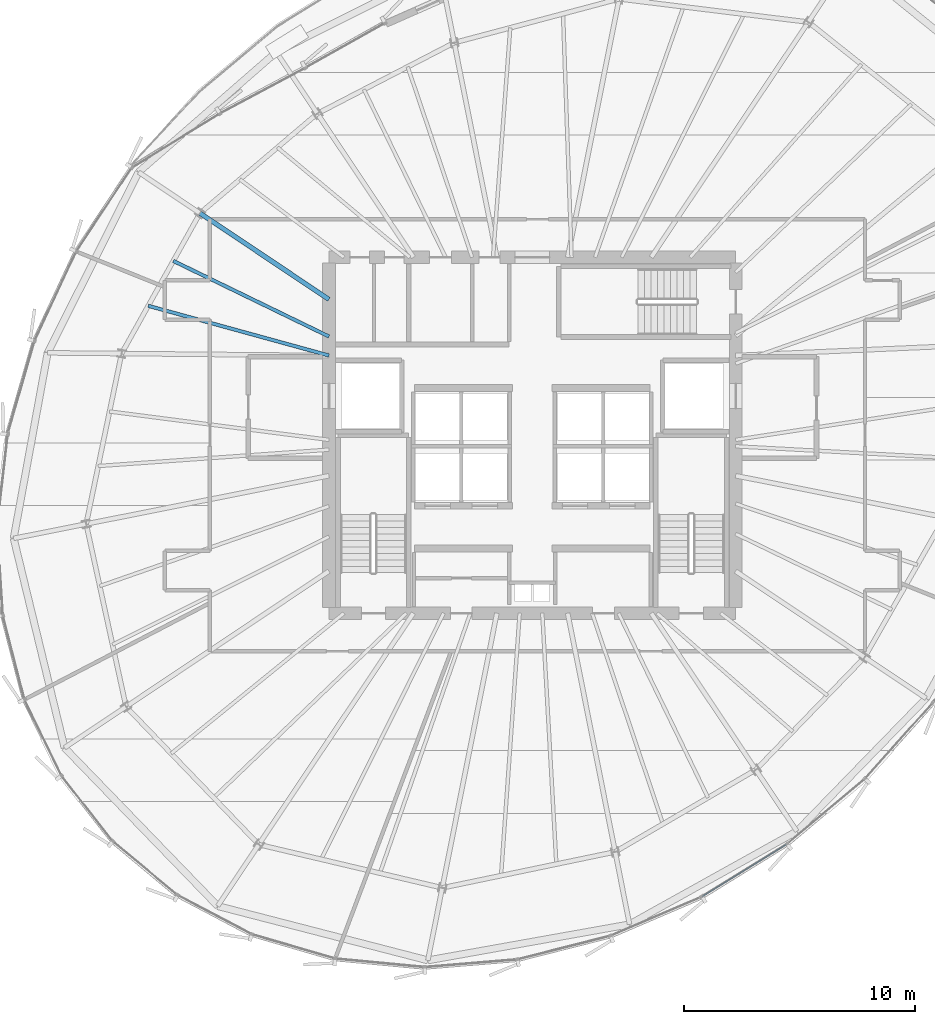
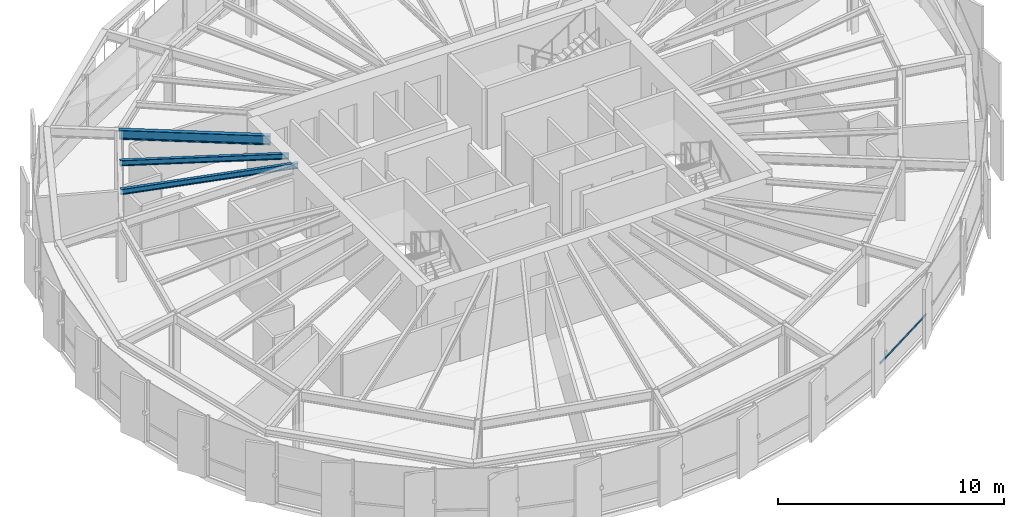
# One storey, part 11 of 33: 3 beams, 1 member, 1 element without a shape of its own.
"""IFC4 building model written with IfcOpenShell, lengths in metres."""

from ifc_helpers import new_model, si_unit, direction, frame, origin, origin_2d, place, context, subcontext, project, spatial, hollow_rectangle, i_section, extrude, source, transform, mapped, material, layer, layer_set, material_profile, profile_set, type_object, element, aggregate, save


model = new_model("IFC4")

# Units and contexts
model_context = context("Model", 3, precision=1e-05, world=origin(), true_north=direction((0.0, 1.0)))
body_context = subcontext(model_context, "Body", "Model", "MODEL_VIEW")
ifc_project = project(units=[si_unit("LENGTHUNIT", "METRE"), si_unit("AREAUNIT", "SQUARE_METRE"), si_unit("VOLUMEUNIT", "CUBIC_METRE"), si_unit("PLANEANGLEUNIT", "RADIAN"), si_unit("MASSUNIT", "GRAM", prefix="KILO"), si_unit("THERMODYNAMICTEMPERATUREUNIT", "KELVIN")], contexts=[model_context])

# Site, building, storey
site_placement = place(None, origin())
site = spatial("IfcSite", under=ifc_project, at=site_placement, CompositionType="ELEMENT")
building_placement = place(site_placement, origin())
building = spatial("IfcBuilding", under=site, at=building_placement, Name="Kethvar Cultural Tower", CompositionType="ELEMENT")
storey_placement = place(building_placement, frame((0.0, 0.0, 211.39990234375)))
storey = spatial("IfcBuildingStorey", under=building, at=storey_placement, Name="L55", CompositionType="ELEMENT", Elevation=211.39990234375)

# Beams
ifc_material_1 = material(Name="Steel S355J2", Category="steel")
ifc_material_profile_1 = material_profile(ifc_material_1, i_section(OverallWidth=0.199951171875, OverallDepth=0.5, WebThickness=0.01025390625, FlangeThickness=0.01611328125, FilletRadius=0.02099609375, at=origin_2d()), Name="Steel S355J2 — IPE500")
ifc_profile_set_1 = profile_set([ifc_material_profile_1], Name="Steel S355J2 — IPE500")
beam_type_1 = type_object("IfcBeamType", Name="BM-IPE500", PredefinedType="BEAM", material=ifc_profile_set_1)
shared_shape_1 = source(origin(), body_context, "Body", "SweptSolid", [
    extrude(i_section(OverallWidth=0.199951171875, OverallDepth=0.5, WebThickness=0.01025390625, FlangeThickness=0.01611328125, FilletRadius=0.02099609375, at=origin_2d()), origin(), (0.0, 0.0, 1.0), 6.713134765625),
])
beam_1_placement = place(storey_placement, frame((38.0, 33.679931640625, 3.008056640625), z_axis=(-0.831479157792, 0.55555594692, 0.0), x_axis=(-0.55555594692, -0.831479157792, 0.0)))
element("IfcBeam", 1, at=beam_1_placement, inside=storey, type_object=beam_type_1, Name="L55 Primary Radial Beam RB-07", PredefinedType="BEAM", context=body_context, shape_type="MappedRepresentation", body=[
    mapped(shared_shape_1, transform((0.0, 0.0, 0.0), scale=1.0)),
])
ifc_material_profile_2 = material_profile(ifc_material_1, i_section(OverallWidth=0.14990234375, OverallDepth=0.300048828125, WebThickness=0.007080078125, FlangeThickness=0.0107421875, FilletRadius=0.014892578125, at=origin_2d()), Name="Steel S355J2 — IPE300")
ifc_profile_set_2 = profile_set([ifc_material_profile_2], Name="Steel S355J2 — IPE300")
beam_type_2 = type_object("IfcBeamType", Name="BM-J300", PredefinedType="JOIST", material=ifc_profile_set_2)
shared_shape_2 = source(origin(), body_context, "Body", "SweptSolid", [
    extrude(i_section(OverallWidth=0.14990234375, OverallDepth=0.300048828125, WebThickness=0.007080078125, FlangeThickness=0.0107421875, FilletRadius=0.014892578125, at=origin_2d()), origin(), (0.0, 0.0, 1.0), 7.48779296875),
])
beam_2_placement = place(storey_placement, frame((38.0, 32.073486328125, 3.108154296875), z_axis=(-0.8995385432, 0.436841400623, 0.0), x_axis=(-0.436841400623, -0.8995385432, 0.0)))
element("IfcBeam", 2, at=beam_2_placement, inside=storey, type_object=beam_type_2, Name="L55 Composite Floor Joist J-07A", PredefinedType="JOIST", context=body_context, shape_type="MappedRepresentation", body=[
    mapped(shared_shape_2, transform((0.0, 0.0, 0.0), scale=1.0)),
])
shared_shape_3 = source(origin(), body_context, "Body", "SweptSolid", [
    extrude(i_section(OverallWidth=0.14990234375, OverallDepth=0.300048828125, WebThickness=0.007080078125, FlangeThickness=0.0107421875, FilletRadius=0.014892578125, at=origin_2d()), origin(), (0.0, 0.0, 1.0), 8.111572265625),
])
beam_3_placement = place(storey_placement, frame((38.0, 31.25, 3.108154296875), z_axis=(-0.96420462331, 0.265159281164, 0.0), x_axis=(-0.265159281164, -0.96420462331, 0.0)))
element("IfcBeam", 3, at=beam_3_placement, inside=storey, type_object=beam_type_2, Name="L55 Composite Floor Joist J-07B", PredefinedType="JOIST", context=body_context, shape_type="MappedRepresentation", body=[
    mapped(shared_shape_3, transform((0.0, 0.0, 0.0), scale=1.0)),
])

# Curtain wall, member
ifc_material_2 = material(Name="Aluminium 6063-T6", Category="aluminium")
ifc_layer = layer(ifc_material_2, 0.179931640625, Name="Aluminium 6063-T6", Category="aluminium")
ifc_layer_set = layer_set([ifc_layer], Name="Aluminium 6063-T6 (180 mm)")
curtain_wall_type = type_object("IfcCurtainWallType", Name="CW-SYS-04-Z34", PredefinedType="NOTDEFINED", material=ifc_layer_set)
curtain_wall_placement = place(storey_placement, origin())
curtain_wall = element("IfcCurtainWall", 4, at=curtain_wall_placement, inside=storey, type_object=curtain_wall_type, Name="L55 Curtain Wall Run 05", PredefinedType="NOTDEFINED")
ifc_material_profile_3 = material_profile(ifc_material_2, hollow_rectangle(XDim=0.050048828125, YDim=0.10009765625, WallThickness=0.00390625, at=origin_2d()), Name="Aluminium 6063-T6 — RHS100x50x4")
ifc_profile_set_3 = profile_set([ifc_material_profile_3], Name="Aluminium 6063-T6 — RHS100x50x4")
member_type = type_object("IfcMemberType", Name="CW-SYS-04-Z34-TRN", PredefinedType="USERDEFINED", material=ifc_profile_set_3)
shared_shape_4 = source(origin(), body_context, "Body", "SweptSolid", [
    extrude(hollow_rectangle(XDim=0.050048828125, YDim=0.10009765625, WallThickness=0.00390625, at=origin_2d()), origin(), (0.0, 0.0, 1.0), 4.288330078125),
])
member_placement = place(storey_placement, frame((54.15087890625, 7.836181640625, 0.9501953125), z_axis=(0.850708900147, 0.525637106007, 0.0), x_axis=(-0.525637106007, 0.850708900147, 0.0)))
member = element("IfcMember", 5, at=member_placement, type_object=member_type, Name="CW-L55-R05 Transom 1", ObjectType="TRANSOM", PredefinedType="USERDEFINED", context=body_context, shape_type="MappedRepresentation", body=[
    mapped(shared_shape_4, transform((0.0, 0.0, 0.0), scale=1.0)),
])
aggregate(curtain_wall, [member])

save(model, "model.ifc")
